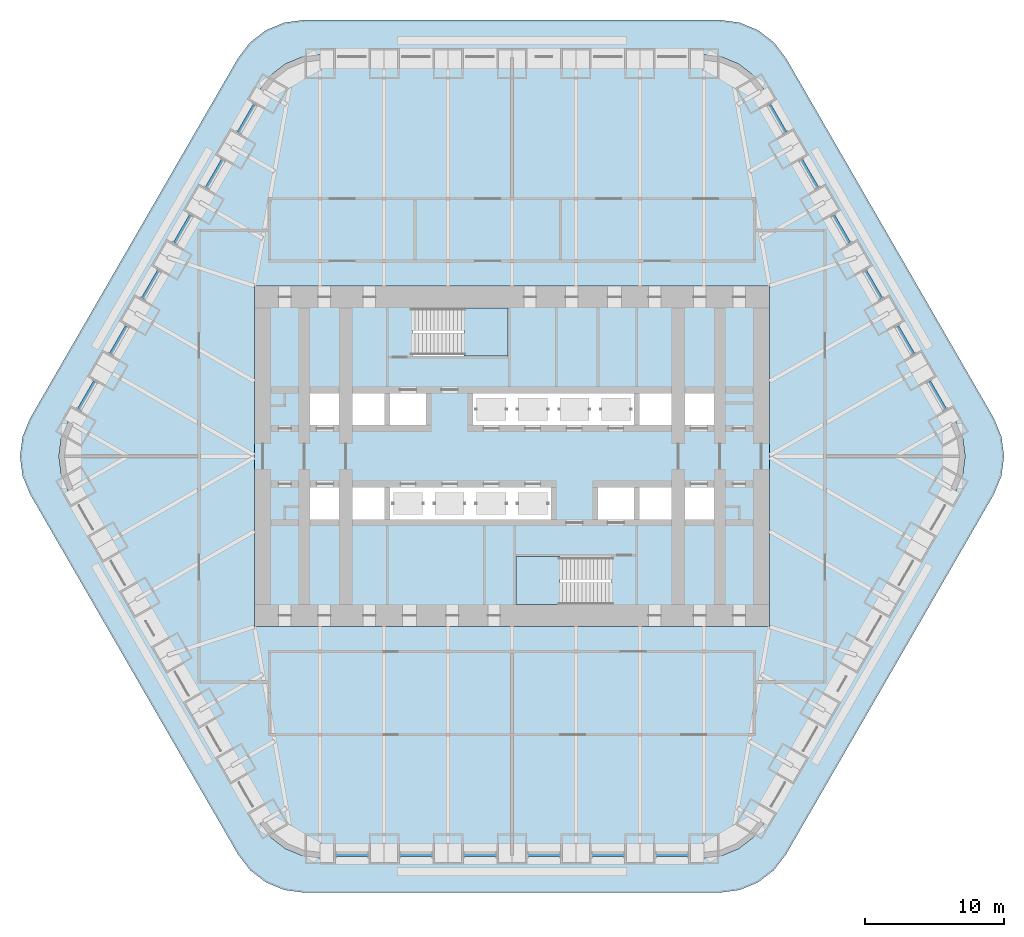
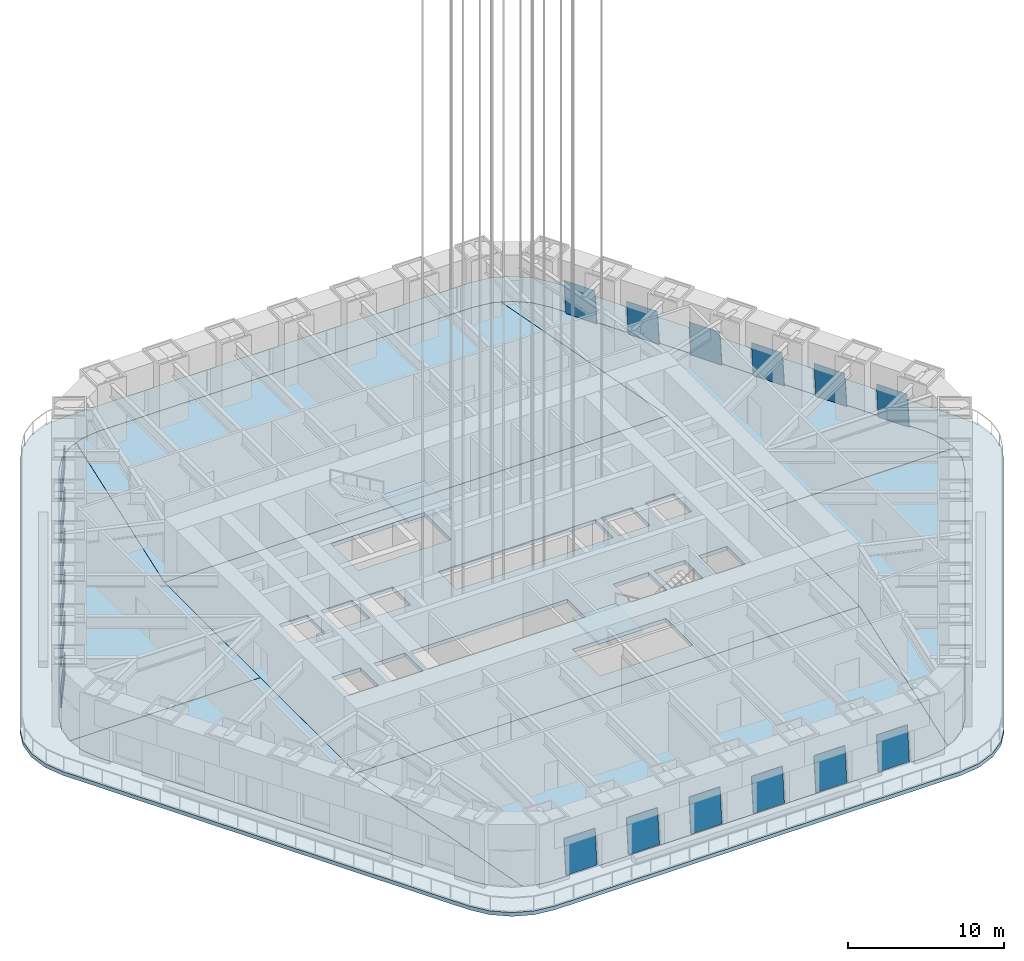
# One storey, part 6 of 15: 18 plates, 10 slabs, 20 elements without a shape of their own.
"""IFC4 building model written with IfcOpenShell, lengths in metres."""

from ifc_helpers import new_model, si_unit, direction, frame, origin, place, context, subcontext, project, spatial, polyline, outline, extrude, material, layer, layer_set, type_object, element, aggregate, save


model = new_model("IFC4")

# Units and contexts
model_context = context("Model", 3, precision=1e-05, world=origin(), true_north=direction((0.0, 1.0)))
body_context = subcontext(model_context, "Body", "Model", "MODEL_VIEW")
ifc_project = project(units=[si_unit("LENGTHUNIT", "METRE"), si_unit("AREAUNIT", "SQUARE_METRE"), si_unit("VOLUMEUNIT", "CUBIC_METRE"), si_unit("PLANEANGLEUNIT", "RADIAN"), si_unit("MASSUNIT", "GRAM", prefix="KILO")], contexts=[model_context])

# Site, building, storey
site_placement = place(None, origin())
site = spatial("IfcSite", under=ifc_project, at=site_placement, CompositionType="ELEMENT")
building_placement = place(site_placement, origin())
building = spatial("IfcBuilding", under=site, at=building_placement, Name="Tarfa Lantern Tower", CompositionType="ELEMENT")
storey_placement = place(building_placement, frame((0.0, 0.0, 210.5)))
storey = spatial("IfcBuildingStorey", under=building, at=storey_placement, Name="L47", CompositionType="ELEMENT", Elevation=210.5)

# Curtain wall, plate
ifc_material_1 = material(Name="Aluminium framed curtain wall", Category="aluminium")
curtain_wall_type = type_object("IfcCurtainWallType", Name="CW5 CANTED GLAZING SKY LOBBY 2800", PredefinedType="USERDEFINED", material=ifc_material_1)
curtain_wall_1_placement = place(storey_placement, origin())
curtain_wall_1 = element("IfcCurtainWall", 1, at=curtain_wall_1_placement, inside=storey, type_object=curtain_wall_type, Name="CW5 NE L47", ObjectType="CURTAIN WALL", PredefinedType="USERDEFINED")
ifc_material_2 = material(Name="Laminated double glazing", Category="glass")
ifc_layer_1 = layer(ifc_material_2, 0.028076171875)
ifc_layer_set_1 = layer_set([ifc_layer_1], Name="CWP1 DOUBLE GLAZED PANEL")
plate_type = type_object("IfcPlateType", Name="CWP1 DOUBLE GLAZED PANEL", PredefinedType="CURTAIN_PANEL", material=ifc_layer_set_1)
plate_1_placement = place(storey_placement, frame((31.373779296875, 3.458984375, 0.0), z_axis=(0.862619249265, 0.497979606024, 0.088906370872), x_axis=(-0.499959451571, 0.866048813165, 0.0)))
plate_1 = element("IfcPlate", 2, at=plate_1_placement, type_object=plate_type, Name="CW5 panel 1.1", PredefinedType="CURTAIN_PANEL", context=body_context, shape_type="SweptSolid", body=[
    extrude(outline(polyline([(0.0, 0.0), (2.2887598299808136, 0.0), (2.2887452983592125, 2.7459815423916387), (-1.4531621600921316e-05, 2.7459815423916387), (0.0, 0.0)])), origin(), (0.0, 0.0, -1.0), 0.028076171875),
])
aggregate(curtain_wall_1, [plate_1])

curtain_wall_2_placement = place(storey_placement, origin())
curtain_wall_2 = element("IfcCurtainWall", 3, at=curtain_wall_2_placement, inside=storey, type_object=curtain_wall_type, Name="CW5 NE L47", ObjectType="CURTAIN WALL", PredefinedType="USERDEFINED")
plate_2_placement = place(storey_placement, frame((29.064453125, 7.458984375, 0.0), z_axis=(0.862573244224, 0.498059289189, 0.08890637098), x_axis=(-0.500039451542, 0.866002625228, 0.0)))
plate_2 = element("IfcPlate", 4, at=plate_2_placement, type_object=plate_type, Name="CW5 panel 1.1", PredefinedType="CURTAIN_PANEL", context=body_context, shape_type="SweptSolid", body=[
    extrude(outline(polyline([(0.0, 0.0), (2.2888819001596765, -4.163336342344337e-17), (2.2888899207703464, 2.7459815424183756), (8.020610670039406e-06, 2.7459815424183756), (0.0, 0.0)])), origin(), (0.0, 0.0, -1.0), 0.028076171875),
])
aggregate(curtain_wall_2, [plate_2])

curtain_wall_3_placement = place(storey_placement, origin())
curtain_wall_3 = element("IfcCurtainWall", 5, at=curtain_wall_3_placement, inside=storey, type_object=curtain_wall_type, Name="CW5 NE L47", ObjectType="CURTAIN WALL", PredefinedType="USERDEFINED")
plate_3_placement = place(storey_placement, frame((26.755126953125, 11.458984375, 0.0), z_axis=(0.862593293963, 0.498017744236, 0.088944564968), x_axis=(-0.499999769589, 0.866025536803, 4.091779e-06)))
plate_3 = element("IfcPlate", 6, at=plate_3_placement, type_object=plate_type, Name="CW5 panel 1.1", PredefinedType="CURTAIN_PANEL", context=body_context, shape_type="SweptSolid", body=[
    extrude(outline(polyline([(0.0, 0.0), (2.28888189773765, -1.3877787807814457e-17), (2.2888899231923814, 2.7459815403995083), (0.00013009571097883735, 2.746000345630671), (0.0, 0.0)])), origin(), (0.0, 0.0, -1.0), 0.028076171875),
])
aggregate(curtain_wall_3, [plate_3])

curtain_wall_4_placement = place(storey_placement, origin())
curtain_wall_4 = element("IfcCurtainWall", 7, at=curtain_wall_4_placement, inside=storey, type_object=curtain_wall_type, Name="CW5 NE L47", ObjectType="CURTAIN WALL", PredefinedType="USERDEFINED")
plate_4_placement = place(storey_placement, frame((24.445556640625, 15.458984375, 0.0), z_axis=(0.862619249265, 0.497979606024, 0.088906370872), x_axis=(-0.499959451571, 0.866048813165, 0.0)))
plate_4 = element("IfcPlate", 8, at=plate_4_placement, type_object=plate_type, Name="CW5 panel 1.1", PredefinedType="CURTAIN_PANEL", context=body_context, shape_type="SweptSolid", body=[
    extrude(outline(polyline([(0.0, 0.0), (2.2887598299808136, 0.0), (2.2887452983592125, 2.7459815423916387), (-1.4531621600921316e-05, 2.7459815423916387), (0.0, 0.0)])), origin(), (0.0, 0.0, -1.0), 0.028076171875),
])
aggregate(curtain_wall_4, [plate_4])

curtain_wall_5_placement = place(storey_placement, origin())
curtain_wall_5 = element("IfcCurtainWall", 9, at=curtain_wall_5_placement, inside=storey, type_object=curtain_wall_type, Name="CW5 NE L47", ObjectType="CURTAIN WALL", PredefinedType="USERDEFINED")
plate_5_placement = place(storey_placement, frame((22.13623046875, 19.458984375, 0.0), z_axis=(0.862593293963, 0.498017744236, 0.088944564968), x_axis=(-0.499999136698, 0.866025902202, -4.091997e-06)))
plate_5 = element("IfcPlate", 10, at=plate_5_placement, type_object=plate_type, Name="CW5 panel 1.1", PredefinedType="CURTAIN_PANEL", context=body_context, shape_type="SweptSolid", body=[
    extrude(outline(polyline([(0.0, 0.0), (2.288759827558658, 1.3877787807814457e-17), (2.288867361194463, 2.7460003466068934), (-1.4536465927620624e-05, 2.7459815403727603), (0.0, 0.0)])), origin(), (0.0, 0.0, -1.0), 0.028076171875),
])
aggregate(curtain_wall_5, [plate_5])

curtain_wall_6_placement = place(storey_placement, origin())
curtain_wall_6 = element("IfcCurtainWall", 11, at=curtain_wall_6_placement, inside=storey, type_object=curtain_wall_type, Name="CW5 NE L47", ObjectType="CURTAIN WALL", PredefinedType="USERDEFINED")
plate_6_placement = place(storey_placement, frame((19.826904296875, 23.458984375, 0.0), z_axis=(0.862593293963, 0.498017744236, 0.088944564968), x_axis=(-0.499999769589, 0.866025536803, 4.091779e-06)))
plate_6 = element("IfcPlate", 12, at=plate_6_placement, type_object=plate_type, Name="CW5 panel 1.1", PredefinedType="CURTAIN_PANEL", context=body_context, shape_type="SweptSolid", body=[
    extrude(outline(polyline([(0.0, 0.0), (2.28888189773765, -1.3877787807814457e-17), (2.2888899231923814, 2.7459815403995083), (0.00013009571097883735, 2.746000345630671), (0.0, 0.0)])), origin(), (0.0, 0.0, -1.0), 0.028076171875),
])
aggregate(curtain_wall_6, [plate_6])

curtain_wall_7_placement = place(storey_placement, origin())
curtain_wall_7 = element("IfcCurtainWall", 13, at=curtain_wall_7_placement, inside=storey, type_object=curtain_wall_type, Name="CW5 NW L47", ObjectType="CURTAIN WALL", PredefinedType="USERDEFINED")
plate_7_placement = place(storey_placement, frame((-18.682373046875, 25.441162109375, 0.0), z_axis=(-0.862593293963, 0.498017744236, 0.088944564968), x_axis=(-0.499999769589, -0.866025536803, -4.091779e-06)))
plate_7 = element("IfcPlate", 14, at=plate_7_placement, type_object=plate_type, Name="CW5 panel 1.1", PredefinedType="CURTAIN_PANEL", context=body_context, shape_type="SweptSolid", body=[
    extrude(outline(polyline([(0.0, 0.0), (2.28888189773765, 1.3877787807814457e-17), (2.288751802026671, 2.746000345630671), (-8.025454731492655e-06, 2.7459815403995083), (0.0, 0.0)])), origin(), (0.0, 0.0, -1.0), 0.028076171875),
])
aggregate(curtain_wall_7, [plate_7])

curtain_wall_8_placement = place(storey_placement, origin())
curtain_wall_8 = element("IfcCurtainWall", 15, at=curtain_wall_8_placement, inside=storey, type_object=curtain_wall_type, Name="CW5 NW L47", ObjectType="CURTAIN WALL", PredefinedType="USERDEFINED")
plate_8_placement = place(storey_placement, frame((-20.991943359375, 21.441162109375, 0.0), z_axis=(-0.862593293963, 0.498017744236, 0.088944564968), x_axis=(-0.499999136698, -0.866025902202, 4.091997e-06)))
plate_8 = element("IfcPlate", 16, at=plate_8_placement, type_object=plate_type, Name="CW5 panel 1.1", PredefinedType="CURTAIN_PANEL", context=body_context, shape_type="SweptSolid", body=[
    extrude(outline(polyline([(0.0, 0.0), (2.288759827558658, -1.3877787807814457e-17), (2.2887743640245857, 2.7459815403727603), (-0.00010753363580540606, 2.7460003466068934), (0.0, 0.0)])), origin(), (0.0, 0.0, -1.0), 0.028076171875),
])
aggregate(curtain_wall_8, [plate_8])

curtain_wall_9_placement = place(storey_placement, origin())
curtain_wall_9 = element("IfcCurtainWall", 17, at=curtain_wall_9_placement, inside=storey, type_object=curtain_wall_type, Name="CW5 NW L47", ObjectType="CURTAIN WALL", PredefinedType="USERDEFINED")
plate_9_placement = place(storey_placement, frame((-23.30126953125, 17.441162109375, 0.0), z_axis=(-0.862619249265, 0.497979606024, 0.088906370872), x_axis=(-0.499959451571, -0.866048813165, 0.0)))
plate_9 = element("IfcPlate", 18, at=plate_9_placement, type_object=plate_type, Name="CW5 panel 1.1", PredefinedType="CURTAIN_PANEL", context=body_context, shape_type="SweptSolid", body=[
    extrude(outline(polyline([(0.0, 0.0), (2.2887598299808136, 0.0), (2.2887743616024143, 2.7459815423916387), (1.4531621600921316e-05, 2.7459815423916387), (0.0, 0.0)])), origin(), (0.0, 0.0, -1.0), 0.028076171875),
])
aggregate(curtain_wall_9, [plate_9])

curtain_wall_10_placement = place(storey_placement, origin())
curtain_wall_10 = element("IfcCurtainWall", 19, at=curtain_wall_10_placement, inside=storey, type_object=curtain_wall_type, Name="CW5 NW L47", ObjectType="CURTAIN WALL", PredefinedType="USERDEFINED")
plate_10_placement = place(storey_placement, frame((-25.610595703125, 13.441162109375, 0.0), z_axis=(-0.862593293963, 0.498017744236, 0.088944564968), x_axis=(-0.499999769589, -0.866025536803, -4.091779e-06)))
plate_10 = element("IfcPlate", 20, at=plate_10_placement, type_object=plate_type, Name="CW5 panel 1.1", PredefinedType="CURTAIN_PANEL", context=body_context, shape_type="SweptSolid", body=[
    extrude(outline(polyline([(0.0, 0.0), (2.28888189773765, 1.3877787807814457e-17), (2.288751802026671, 2.746000345630671), (-8.025454731492655e-06, 2.7459815403995083), (0.0, 0.0)])), origin(), (0.0, 0.0, -1.0), 0.028076171875),
])
aggregate(curtain_wall_10, [plate_10])

curtain_wall_11_placement = place(storey_placement, origin())
curtain_wall_11 = element("IfcCurtainWall", 21, at=curtain_wall_11_placement, inside=storey, type_object=curtain_wall_type, Name="CW5 NW L47", ObjectType="CURTAIN WALL", PredefinedType="USERDEFINED")
plate_11_placement = place(storey_placement, frame((-27.919921875, 9.441162109375, 0.0), z_axis=(-0.862573244224, 0.498059289189, 0.08890637098), x_axis=(-0.500039451542, -0.866002625228, 0.0)))
plate_11 = element("IfcPlate", 22, at=plate_11_placement, type_object=plate_type, Name="CW5 panel 1.1", PredefinedType="CURTAIN_PANEL", context=body_context, shape_type="SweptSolid", body=[
    extrude(outline(polyline([(0.0, 0.0), (2.2888819001596765, 4.163336342344337e-17), (2.2888738795490062, 2.7459815424183756), (-8.020610670039406e-06, 2.7459815424183756), (0.0, 0.0)])), origin(), (0.0, 0.0, -1.0), 0.028076171875),
])
aggregate(curtain_wall_11, [plate_11])

curtain_wall_12_placement = place(storey_placement, origin())
curtain_wall_12 = element("IfcCurtainWall", 23, at=curtain_wall_12_placement, inside=storey, type_object=curtain_wall_type, Name="CW5 NW L47", ObjectType="CURTAIN WALL", PredefinedType="USERDEFINED")
plate_12_placement = place(storey_placement, frame((-30.2294921875, 5.441162109375, 0.0), z_axis=(-0.862619249265, 0.497979606024, 0.088906370872), x_axis=(-0.499959451571, -0.866048813165, 0.0)))
plate_12 = element("IfcPlate", 24, at=plate_12_placement, type_object=plate_type, Name="CW5 panel 1.1", PredefinedType="CURTAIN_PANEL", context=body_context, shape_type="SweptSolid", body=[
    extrude(outline(polyline([(0.0, 0.0), (2.2887598299808136, 0.0), (2.2887743616024143, 2.7459815423916387), (1.4531621600921316e-05, 2.7459815423916387), (0.0, 0.0)])), origin(), (0.0, 0.0, -1.0), 0.028076171875),
])
aggregate(curtain_wall_12, [plate_12])

curtain_wall_13_placement = place(storey_placement, origin())
curtain_wall_13 = element("IfcCurtainWall", 25, at=curtain_wall_13_placement, inside=storey, type_object=curtain_wall_type, Name="CW5 S L47", ObjectType="CURTAIN WALL", PredefinedType="USERDEFINED")
plate_13_placement = place(storey_placement, frame((-12.69140625, -28.89990234375, 0.0), z_axis=(0.0, -0.996039814532, 0.088908311571), x_axis=(1.0, 0.0, 0.0)))
plate_13 = element("IfcPlate", 26, at=plate_13_placement, type_object=plate_type, Name="CW5 panel 1.1", PredefinedType="CURTAIN_PANEL", context=body_context, shape_type="SweptSolid", body=[
    extrude(outline(polyline([(0.0, 0.0), (2.288818359375, 0.0), (2.288818359375, 2.745982019965007), (0.0, 2.745982019965007), (0.0, 0.0)])), origin(), (0.0, 0.0, -1.0), 0.028076171875),
])
aggregate(curtain_wall_13, [plate_13])

curtain_wall_14_placement = place(storey_placement, origin())
curtain_wall_14 = element("IfcCurtainWall", 27, at=curtain_wall_14_placement, inside=storey, type_object=curtain_wall_type, Name="CW5 S L47", ObjectType="CURTAIN WALL", PredefinedType="USERDEFINED")
plate_14_placement = place(storey_placement, frame((-8.072509765625, -28.89990234375, 0.0), z_axis=(0.0, -0.996039814532, 0.088908311571), x_axis=(1.0, 0.0, 0.0)))
plate_14 = element("IfcPlate", 28, at=plate_14_placement, type_object=plate_type, Name="CW5 panel 1.1", PredefinedType="CURTAIN_PANEL", context=body_context, shape_type="SweptSolid", body=[
    extrude(outline(polyline([(0.0, 0.0), (2.288818359375, 0.0), (2.288818359375, 2.745982019965007), (0.0, 2.745982019965007), (0.0, 0.0)])), origin(), (0.0, 0.0, -1.0), 0.028076171875),
])
aggregate(curtain_wall_14, [plate_14])

curtain_wall_15_placement = place(storey_placement, origin())
curtain_wall_15 = element("IfcCurtainWall", 29, at=curtain_wall_15_placement, inside=storey, type_object=curtain_wall_type, Name="CW5 S L47", ObjectType="CURTAIN WALL", PredefinedType="USERDEFINED")
plate_15_placement = place(storey_placement, frame((-3.453857421875, -28.89990234375, 0.0), z_axis=(0.0, -0.996039814532, 0.088908311571), x_axis=(1.0, 0.0, 0.0)))
plate_15 = element("IfcPlate", 30, at=plate_15_placement, type_object=plate_type, Name="CW5 panel 1.1", PredefinedType="CURTAIN_PANEL", context=body_context, shape_type="SweptSolid", body=[
    extrude(outline(polyline([(0.0, 0.0), (2.288818359375, 0.0), (2.288818359375, 2.745982019965007), (0.0, 2.745982019965007), (0.0, 0.0)])), origin(), (0.0, 0.0, -1.0), 0.028076171875),
])
aggregate(curtain_wall_15, [plate_15])

curtain_wall_16_placement = place(storey_placement, origin())
curtain_wall_16 = element("IfcCurtainWall", 31, at=curtain_wall_16_placement, inside=storey, type_object=curtain_wall_type, Name="CW5 S L47", ObjectType="CURTAIN WALL", PredefinedType="USERDEFINED")
plate_16_placement = place(storey_placement, frame((1.1650390625, -28.89990234375, 0.0), z_axis=(0.0, -0.996039814532, 0.088908311571), x_axis=(1.0, 0.0, 0.0)))
plate_16 = element("IfcPlate", 32, at=plate_16_placement, type_object=plate_type, Name="CW5 panel 1.1", PredefinedType="CURTAIN_PANEL", context=body_context, shape_type="SweptSolid", body=[
    extrude(outline(polyline([(0.0, 0.0), (2.288818359375, 0.0), (2.288818359375, 2.745982019965007), (0.0, 2.745982019965007), (0.0, 0.0)])), origin(), (0.0, 0.0, -1.0), 0.028076171875),
])
aggregate(curtain_wall_16, [plate_16])

curtain_wall_17_placement = place(storey_placement, origin())
curtain_wall_17 = element("IfcCurtainWall", 33, at=curtain_wall_17_placement, inside=storey, type_object=curtain_wall_type, Name="CW5 S L47", ObjectType="CURTAIN WALL", PredefinedType="USERDEFINED")
plate_17_placement = place(storey_placement, frame((5.78369140625, -28.89990234375, 0.0), z_axis=(0.0, -0.996039814532, 0.088908311571), x_axis=(1.0, 0.0, 0.0)))
plate_17 = element("IfcPlate", 34, at=plate_17_placement, type_object=plate_type, Name="CW5 panel 1.1", PredefinedType="CURTAIN_PANEL", context=body_context, shape_type="SweptSolid", body=[
    extrude(outline(polyline([(0.0, 0.0), (2.288818359375, 0.0), (2.288818359375, 2.745982019965007), (0.0, 2.745982019965007), (0.0, 0.0)])), origin(), (0.0, 0.0, -1.0), 0.028076171875),
])
aggregate(curtain_wall_17, [plate_17])

curtain_wall_18_placement = place(storey_placement, origin())
curtain_wall_18 = element("IfcCurtainWall", 35, at=curtain_wall_18_placement, inside=storey, type_object=curtain_wall_type, Name="CW5 S L47", ObjectType="CURTAIN WALL", PredefinedType="USERDEFINED")
plate_18_placement = place(storey_placement, frame((10.402587890625, -28.89990234375, 0.0), z_axis=(0.0, -0.996039814532, 0.088908311571), x_axis=(1.0, 0.0, 0.0)))
plate_18 = element("IfcPlate", 36, at=plate_18_placement, type_object=plate_type, Name="CW5 panel 1.1", PredefinedType="CURTAIN_PANEL", context=body_context, shape_type="SweptSolid", body=[
    extrude(outline(polyline([(0.0, 0.0), (2.288818359375, 0.0), (2.288818359375, 2.745982019965007), (0.0, 2.745982019965007), (0.0, 0.0)])), origin(), (0.0, 0.0, -1.0), 0.028076171875),
])
aggregate(curtain_wall_18, [plate_18])

# Slabs
ifc_material_3 = material(Name="Concrete C40/50", Category="concrete")
ifc_layer_2 = layer(ifc_material_3, 0.300048828125)
ifc_layer_set_2 = layer_set([ifc_layer_2], Name="FS2 FLOOR SLAB 300")
slab_type_1 = type_object("IfcSlabType", Name="FS2 FLOOR SLAB 300", PredefinedType="FLOOR", material=ifc_layer_set_2)
slab_1_placement = place(storey_placement, frame((0.0, 0.0, -0.300048828125)))
element("IfcSlab", 37, at=slab_1_placement, inside=storey, type_object=slab_type_1, Name="Floor slab L47", PredefinedType="FLOOR", context=body_context, shape_type="SweptSolid", body=[
    extrude(outline(polyline([(-18.60009765625, -12.300048828125), (18.60009765625, -12.300048828125), (18.60009765625, 12.300048828125), (-18.60009765625, 12.300048828125), (-18.60009765625, -12.300048828125)]), holes=[polyline([(-14.60009765625, 2.25), (-12.5, 2.25), (-12.5, 4.550048828125), (-14.60009765625, 4.550048828125), (-14.60009765625, 2.25)]), polyline([(-11.5, 2.25), (-9.199951171875, 2.25), (-9.199951171875, 4.550048828125), (-11.5, 4.550048828125), (-11.5, 2.25)]), polyline([(-8.800048828125, 2.25), (-6.199951171875, 2.25), (-6.199951171875, 4.550048828125), (-8.800048828125, 4.550048828125), (-8.800048828125, 2.25)]), polyline([(-2.800048828125, 2.25), (8.800048828125, 2.25), (8.800048828125, 4.550048828125), (-2.800048828125, 4.550048828125), (-2.800048828125, 2.25)]), polyline([(9.199951171875, 2.25), (11.5, 2.25), (11.5, 4.550048828125), (9.199951171875, 4.550048828125), (9.199951171875, 2.25)]), polyline([(12.5, 2.25), (14.60009765625, 2.25), (14.60009765625, 4.550048828125), (12.5, 4.550048828125), (12.5, 2.25)]), polyline([(14.60009765625, -2.25), (12.5, -2.25), (12.5, -4.550048828125), (14.60009765625, -4.550048828125), (14.60009765625, -2.25)]), polyline([(11.5, -2.25), (9.199951171875, -2.25), (9.199951171875, -4.550048828125), (11.5, -4.550048828125), (11.5, -2.25)]), polyline([(8.800048828125, -2.25), (6.199951171875, -2.25), (6.199951171875, -4.550048828125), (8.800048828125, -4.550048828125), (8.800048828125, -2.25)]), polyline([(2.800048828125, -2.25), (-8.800048828125, -2.25), (-8.800048828125, -4.550048828125), (2.800048828125, -4.550048828125), (2.800048828125, -2.25)]), polyline([(-9.199951171875, -2.25), (-11.5, -2.25), (-11.5, -4.550048828125), (-9.199951171875, -4.550048828125), (-9.199951171875, -2.25)]), polyline([(-12.5, -2.25), (-14.60009765625, -2.25), (-14.60009765625, -4.550048828125), (-12.5, -4.550048828125), (-12.5, -2.25)]), polyline([(-7.199951171875, 7.25), (-0.300048828125, 7.25), (-0.300048828125, 10.699951171875), (-7.199951171875, 10.699951171875), (-7.199951171875, 7.25)]), polyline([(7.199951171875, -7.25), (0.300048828125, -7.25), (0.300048828125, -10.699951171875), (7.199951171875, -10.699951171875), (7.199951171875, -7.25)])]), origin(), (0.0, 0.0, 1.0), 0.300048828125),
])
slab_2_placement = place(storey_placement, frame((0.0, 0.0, -0.300048828125)))
element("IfcSlab", 38, at=slab_2_placement, inside=storey, type_object=slab_type_1, Name="Floor slab L47 NE bay", PredefinedType="FLOOR", context=body_context, shape_type="SweptSolid", body=[
    extrude(outline(polyline([(32.041259765625, 2.4990234375), (18.184814453125, 26.498779296875), (17.390625, 27.5341796875), (16.35546875, 28.328369140625), (15.715576171875, 28.59326171875), (18.60205078125, 12.30029296875), (18.60205078125, 0.001953125), (32.71044921875, 0.001953125), (32.54052734375, 1.29345703125), (32.041259765625, 2.4990234375)])), origin(), (0.0, 0.0, 1.0), 0.300048828125),
])
slab_3_placement = place(storey_placement, frame((0.0, 0.0, -0.300048828125)))
element("IfcSlab", 39, at=slab_3_placement, inside=storey, type_object=slab_type_1, Name="Floor slab L47 N bay", PredefinedType="FLOOR", context=body_context, shape_type="SweptSolid", body=[
    extrude(outline(polyline([(-18.59765625, 12.302001953125), (18.59765625, 12.302001953125), (15.711181640625, 28.59521484375), (15.14990234375, 28.82763671875), (13.856201171875, 28.998046875), (-13.856201171875, 28.998046875), (-15.14990234375, 28.82763671875), (-15.711181640625, 28.59521484375), (-18.59765625, 12.302001953125)])), origin(), (0.0, 0.0, 1.0), 0.300048828125),
])
slab_4_placement = place(storey_placement, frame((0.0, 0.0, -0.300048828125)))
element("IfcSlab", 40, at=slab_4_placement, inside=storey, type_object=slab_type_1, Name="Floor slab L47 NW bay", PredefinedType="FLOOR", context=body_context, shape_type="SweptSolid", body=[
    extrude(outline(polyline([(-18.60205078125, 0.001953125), (-18.60205078125, 12.30029296875), (-15.715576171875, 28.59326171875), (-16.35546875, 28.328369140625), (-17.390625, 27.5341796875), (-18.184814453125, 26.498779296875), (-32.041259765625, 2.4990234375), (-32.54052734375, 1.29345703125), (-32.71044921875, 0.001953125), (-18.60205078125, 0.001953125)])), origin(), (0.0, 0.0, 1.0), 0.300048828125),
])
slab_5_placement = place(storey_placement, frame((0.0, 0.0, -0.300048828125)))
element("IfcSlab", 41, at=slab_5_placement, inside=storey, type_object=slab_type_1, Name="Floor slab L47 SW bay", PredefinedType="FLOOR", context=body_context, shape_type="SweptSolid", body=[
    extrude(outline(polyline([(-18.60205078125, -12.30029296875), (-18.60205078125, -0.001953125), (-32.71044921875, -0.001953125), (-32.54052734375, -1.29345703125), (-32.041259765625, -2.4990234375), (-18.184814453125, -26.498779296875), (-17.390625, -27.5341796875), (-16.35546875, -28.328369140625), (-15.715576171875, -28.59326171875), (-18.60205078125, -12.30029296875)])), origin(), (0.0, 0.0, 1.0), 0.300048828125),
])
slab_6_placement = place(storey_placement, frame((0.0, 0.0, -0.300048828125)))
element("IfcSlab", 42, at=slab_6_placement, inside=storey, type_object=slab_type_1, Name="Floor slab L47 S bay", PredefinedType="FLOOR", context=body_context, shape_type="SweptSolid", body=[
    extrude(outline(polyline([(18.59765625, -12.302001953125), (-18.59765625, -12.302001953125), (-15.711181640625, -28.59521484375), (-15.14990234375, -28.82763671875), (-13.856201171875, -28.998046875), (13.856201171875, -28.998046875), (15.14990234375, -28.82763671875), (15.711181640625, -28.59521484375), (18.59765625, -12.302001953125)])), origin(), (0.0, 0.0, 1.0), 0.300048828125),
])
slab_7_placement = place(storey_placement, frame((0.0, 0.0, -0.300048828125)))
element("IfcSlab", 43, at=slab_7_placement, inside=storey, type_object=slab_type_1, Name="Floor slab L47 SE bay", PredefinedType="FLOOR", context=body_context, shape_type="SweptSolid", body=[
    extrude(outline(polyline([(18.60205078125, -0.001953125), (18.60205078125, -12.30029296875), (15.715576171875, -28.59326171875), (16.35546875, -28.328369140625), (17.390625, -27.5341796875), (18.184814453125, -26.498779296875), (32.041259765625, -2.4990234375), (32.54052734375, -1.29345703125), (32.71044921875, -0.001953125), (18.60205078125, -0.001953125)])), origin(), (0.0, 0.0, 1.0), 0.300048828125),
])
slab_8_placement = place(storey_placement, frame((0.0, 0.0, -0.300048828125)))
element("IfcSlab", 44, at=slab_8_placement, inside=storey, type_object=slab_type_1, Name="Sky garden terrace L47", PredefinedType="FLOOR", context=body_context, shape_type="SweptSolid", body=[
    extrude(outline(polyline([(34.785400390625, 2.75), (19.774169921875, 28.75), (18.900146484375, 29.88916015625), (17.760986328125, 30.76318359375), (16.4345703125, 31.3125), (15.010986328125, 31.5), (-15.010986328125, 31.5), (-16.4345703125, 31.3125), (-17.760986328125, 30.76318359375), (-18.900146484375, 29.88916015625), (-19.774169921875, 28.75), (-34.785400390625, 2.75), (-35.334716796875, 1.423583984375), (-35.522216796875, 0.0), (-35.334716796875, -1.423583984375), (-34.785400390625, -2.75), (-19.774169921875, -28.75), (-18.900146484375, -29.88916015625), (-17.760986328125, -30.76318359375), (-16.4345703125, -31.3125), (-15.010986328125, -31.5), (15.010986328125, -31.5), (16.4345703125, -31.3125), (17.760986328125, -30.76318359375), (18.900146484375, -29.88916015625), (19.774169921875, -28.75), (34.785400390625, -2.75), (35.334716796875, -1.423583984375), (35.522216796875, 0.0), (35.334716796875, 1.423583984375), (34.785400390625, 2.75)]), holes=[polyline([(32.04296875, 2.5), (18.1865234375, 26.5), (17.391845703125, 27.53564453125), (16.3564453125, 28.330078125), (15.150390625, 28.82958984375), (13.8564453125, 29.0), (-13.8564453125, 29.0), (-15.150390625, 28.82958984375), (-16.3564453125, 28.330078125), (-17.391845703125, 27.53564453125), (-18.1865234375, 26.5), (-32.04296875, 2.5), (-32.54248046875, 1.294189453125), (-32.712890625, 0.0), (-32.54248046875, -1.294189453125), (-32.04296875, -2.5), (-18.1865234375, -26.5), (-17.391845703125, -27.53564453125), (-16.3564453125, -28.330078125), (-15.150390625, -28.82958984375), (-13.8564453125, -29.0), (13.8564453125, -29.0), (15.150390625, -28.82958984375), (16.3564453125, -28.330078125), (17.391845703125, -27.53564453125), (18.1865234375, -26.5), (32.04296875, -2.5), (32.54248046875, -1.294189453125), (32.712890625, 0.0), (32.54248046875, 1.294189453125), (32.04296875, 2.5)])]), origin(), (0.0, 0.0, 1.0), 0.300048828125),
])

# Stair, slab
stair_type = type_object("IfcStairType", Name="ST-T9 HALF-TURN STAIR 5000 RISE", PredefinedType="HALF_TURN_STAIR", material=ifc_material_3)
stair_1_placement = place(storey_placement, origin())
stair_1 = element("IfcStair", 45, at=stair_1_placement, inside=storey, type_object=stair_type, Name="Stair ST1", PredefinedType="HALF_TURN_STAIR")
ifc_layer_3 = layer(ifc_material_3, 0.199951171875)
ifc_layer_set_3 = layer_set([ifc_layer_3], Name="SL1 STAIR LANDING 200")
slab_type_2 = type_object("IfcSlabType", Name="SL1 STAIR LANDING 200", PredefinedType="LANDING", material=ifc_layer_set_3)
slab_9_placement = place(storey_placement, frame((0.0, 0.0, 2.300048828125)))
slab_9 = element("IfcSlab", 46, at=slab_9_placement, type_object=slab_type_2, Name="ST1 landing 1", PredefinedType="LANDING", context=body_context, shape_type="SweptSolid", body=[
    extrude(outline(polyline([(-3.47998046875, 7.25), (-0.300048828125, 7.25), (-0.300048828125, 10.699951171875), (-3.47998046875, 10.699951171875), (-3.47998046875, 7.25)])), origin(), (0.0, 0.0, 1.0), 0.199951171875),
])
aggregate(stair_1, [slab_9])

stair_2_placement = place(storey_placement, origin())
stair_2 = element("IfcStair", 47, at=stair_2_placement, inside=storey, type_object=stair_type, Name="Stair ST2", PredefinedType="HALF_TURN_STAIR")
slab_10_placement = place(storey_placement, frame((0.0, 0.0, 2.300048828125)))
slab_10 = element("IfcSlab", 48, at=slab_10_placement, type_object=slab_type_2, Name="ST2 landing 1", PredefinedType="LANDING", context=body_context, shape_type="SweptSolid", body=[
    extrude(outline(polyline([(3.47998046875, -7.25), (0.300048828125, -7.25), (0.300048828125, -10.699951171875), (3.47998046875, -10.699951171875), (3.47998046875, -7.25)])), origin(), (0.0, 0.0, 1.0), 0.199951171875),
])
aggregate(stair_2, [slab_10])

save(model, "model.ifc")
